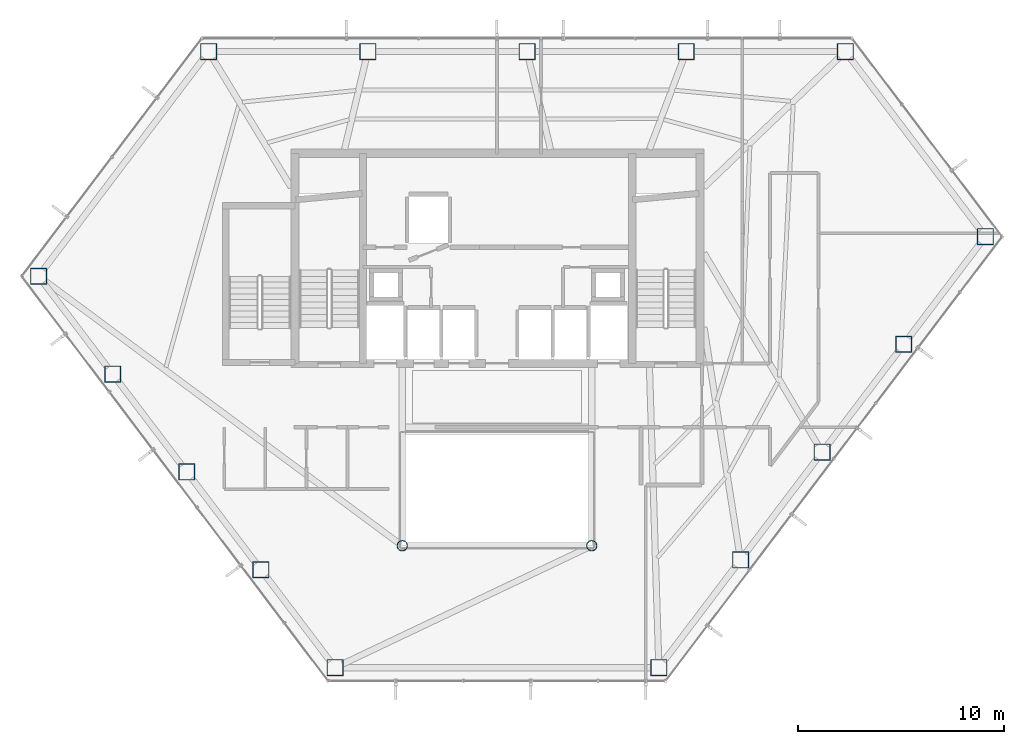
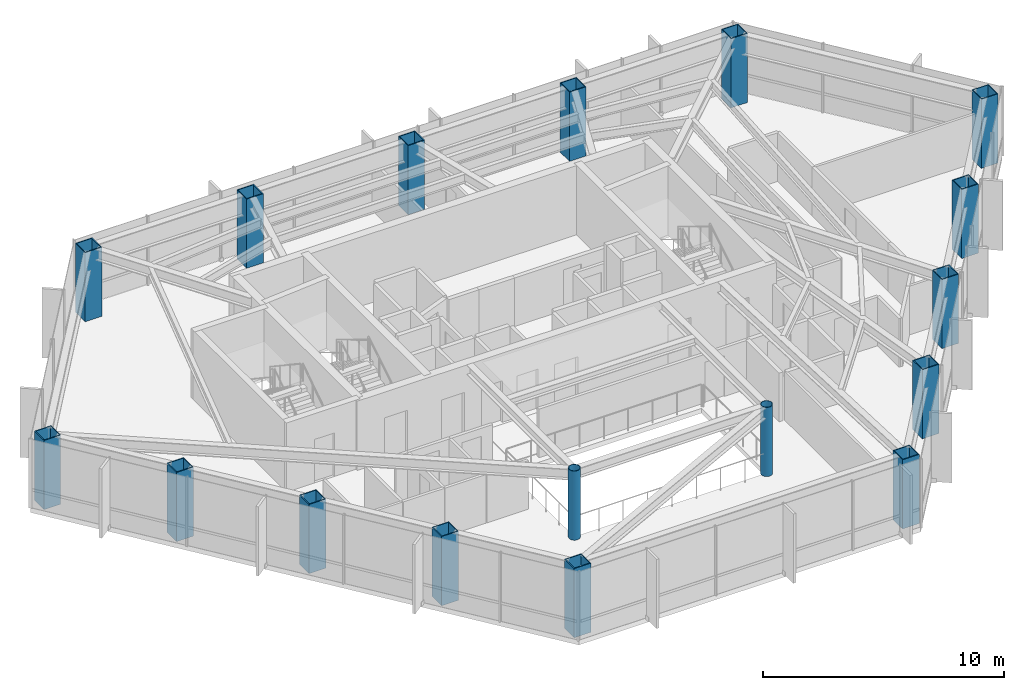
# One storey, part 1 of 28: 17 columns.
"""IFC4 building model written with IfcOpenShell, lengths in metres."""

from ifc_helpers import new_model, si_unit, direction, frame, origin, origin_2d, place, context, subcontext, project, spatial, hollow_rectangle, hollow_circle, extrude, material, material_profile, profile_set, type_object, element, save


model = new_model("IFC4")

# Units and contexts
model_context = context("Model", 3, precision=1e-05, world=origin(), true_north=direction((0.0, 1.0)))
body_context = subcontext(model_context, "Body", "Model", "MODEL_VIEW")
ifc_project = project(units=[si_unit("LENGTHUNIT", "METRE"), si_unit("AREAUNIT", "SQUARE_METRE"), si_unit("VOLUMEUNIT", "CUBIC_METRE"), si_unit("PLANEANGLEUNIT", "RADIAN"), si_unit("MASSUNIT", "GRAM", prefix="KILO")], contexts=[model_context])

# Site, building, storey
site_placement = place(None, origin())
site = spatial("IfcSite", under=ifc_project, at=site_placement, CompositionType="ELEMENT")
building_placement = place(site_placement, origin())
building = spatial("IfcBuilding", under=site, at=building_placement, Name="Zarrinselat Tower", CompositionType="ELEMENT")
storey_placement = place(building_placement, frame((0.0, 0.0, 149.60009765625)))
storey = spatial("IfcBuildingStorey", under=building, at=storey_placement, Name="L36", CompositionType="ELEMENT", Elevation=149.60009765625)

# Columns
ifc_material_1 = material(Name="Steel S355J2", Category="steel")
ifc_material_profile_1 = material_profile(ifc_material_1, hollow_circle(Radius=0.25390625, WallThickness=0.02001953125, at=origin_2d()), Name="CHS 508x20")
ifc_profile_set_1 = profile_set([ifc_material_profile_1], Name="Steel S355J2")
column_type_1 = type_object("IfcColumnType", Name="COL-CHS508", PredefinedType="COLUMN", material=ifc_profile_set_1)
for number, where, z_axis, x_axis, name in (
    (1, (33.800048828125, 24.39990234375, 0.0), (0.0, 0.0, 1.0), (1.0, 0.0, 0.0), "L36 Atrium Corner Column 1"),
    (2, (43.0, 24.39990234375, 0.0), (0.0, 0.0, 1.0), (1.0, 0.0, 0.0), "L36 Atrium Corner Column 2"),
):
    element("IfcColumn", number, at=place(storey_placement, frame(where, z_axis=z_axis, x_axis=x_axis)), inside=storey, type_object=column_type_1, Name=name, PredefinedType="COLUMN", context=body_context, shape_type="SweptSolid", body=[
        extrude(hollow_circle(Radius=0.25390625, WallThickness=0.02001953125, at=origin_2d()), origin(), (0.0, 0.0, 1.0), 3.5),
    ])
ifc_material_2 = material(Name="Steel S460M", Category="steel")
ifc_material_profile_2 = material_profile(ifc_material_2, hollow_rectangle(XDim=0.800048828125, YDim=0.800048828125, WallThickness=0.0400390625, at=origin_2d()), Name="SHS 800x800x40")
ifc_profile_set_2 = profile_set([ifc_material_profile_2], Name="Steel S460M")
column_type_2 = type_object("IfcColumnType", Name="COL-SHS800", PredefinedType="COLUMN", material=ifc_profile_set_2)
for number, where, z_axis, x_axis, name in (
    (3, (55.309814453125, 48.38330078125, 0.0), (0.0, 0.0, 1.0), (1.0, 0.0, 0.0), "L36 Framed-Tube Column T01"),
    (4, (47.58349609375, 48.38330078125, 0.0), (0.0, 0.0, 1.0), (1.0, 0.0, 0.0), "L36 Framed-Tube Column T02"),
    (5, (39.857421875, 48.38330078125, 0.0), (0.0, 0.0, 1.0), (1.0, 0.0, 0.0), "L36 Framed-Tube Column T03"),
    (6, (32.131103515625, 48.38330078125, 0.0), (0.0, 0.0, 1.0), (1.0, 0.0, 0.0), "L36 Framed-Tube Column T04"),
    (7, (24.40478515625, 48.38330078125, 0.0), (0.0, 0.0, 1.0), (1.0, 0.0, 0.0), "L36 Framed-Tube Column T05"),
    (8, (16.147216796875, 37.4833984375, 0.0), (0.0, 0.0, 1.0), (1.0, 0.0, 0.0), "L36 Framed-Tube Column T06"),
    (9, (19.74609375, 32.73291015625, 0.0), (0.0, 0.0, 1.0), (1.0, 0.0, 0.0), "L36 Framed-Tube Column T07"),
    (10, (23.344970703125, 27.982421875, 0.0), (0.0, 0.0, 1.0), (1.0, 0.0, 0.0), "L36 Framed-Tube Column T08"),
    (11, (26.943603515625, 23.23193359375, 0.0), (0.0, 0.0, 1.0), (1.0, 0.0, 0.0), "L36 Framed-Tube Column T09"),
    (12, (30.54248046875, 18.4814453125, 0.0), (0.0, 0.0, 1.0), (1.0, 0.0, 0.0), "L36 Framed-Tube Column T10"),
    (13, (46.257568359375, 18.4814453125, 0.0), (0.0, 0.0, 1.0), (1.0, 0.0, 0.0), "L36 Framed-Tube Column T11"),
    (14, (50.220703125, 23.712890625, 0.0), (0.0, 0.0, 1.0), (1.0, 0.0, 0.0), "L36 Framed-Tube Column T12"),
    (15, (54.183837890625, 28.944091796875, 0.0), (0.0, 0.0, 1.0), (1.0, 0.0, 0.0), "L36 Framed-Tube Column T13"),
    (16, (58.14697265625, 34.175537109375, 0.0), (0.0, 0.0, 1.0), (1.0, 0.0, 0.0), "L36 Framed-Tube Column T14"),
    (17, (62.110107421875, 39.406982421875, 0.0), (0.0, 0.0, 1.0), (1.0, 0.0, 0.0), "L36 Framed-Tube Column T15"),
):
    element("IfcColumn", number, at=place(storey_placement, frame(where, z_axis=z_axis, x_axis=x_axis)), inside=storey, type_object=column_type_2, Name=name, PredefinedType="COLUMN", context=body_context, shape_type="SweptSolid", body=[
        extrude(hollow_rectangle(XDim=0.800048828125, YDim=0.800048828125, WallThickness=0.0400390625, at=origin_2d()), origin(), (0.0, 0.0, 1.0), 3.5),
    ])

save(model, "model.ifc")
